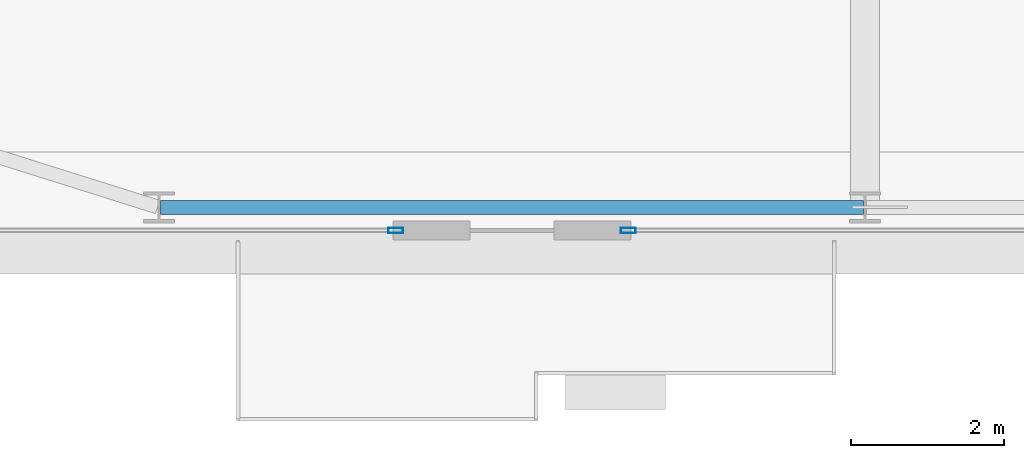
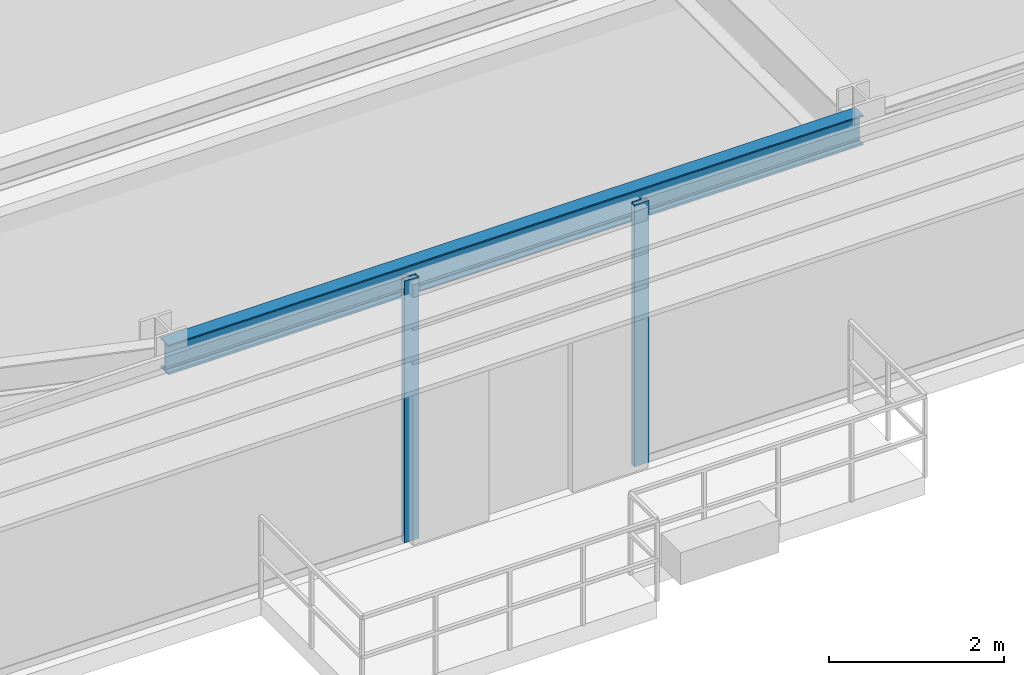
# One storey, part 5 of 31: 2 members, 1 beam, 2 elements without a shape of their own.
"""IFC4 building model written with IfcOpenShell, lengths in metres."""

from ifc_helpers import new_model, si_unit, direction, frame, origin, origin_2d, place, context, subcontext, project, spatial, hollow_rectangle, i_section, extrude, source, transform, mapped, material, layer, layer_set, material_profile, profile_set, type_object, type_shapes, element, aggregate, save


model = new_model("IFC4")

# Units and contexts
model_context = context("Model", 3, precision=1e-05, world=origin(), true_north=direction((0.0, 1.0)))
body_context = subcontext(model_context, "Body", "Model", "MODEL_VIEW")
ifc_project = project(units=[si_unit("LENGTHUNIT", "METRE"), si_unit("AREAUNIT", "SQUARE_METRE"), si_unit("VOLUMEUNIT", "CUBIC_METRE"), si_unit("PLANEANGLEUNIT", "RADIAN"), si_unit("MASSUNIT", "GRAM", prefix="KILO")], contexts=[model_context])

# Site, building, storey
site_placement = place(None, origin())
site = spatial("IfcSite", under=ifc_project, at=site_placement, CompositionType="ELEMENT")
building_placement = place(site_placement, origin())
building = spatial("IfcBuilding", under=site, at=building_placement, Name="Varnel Quay Broadcast Tower", CompositionType="ELEMENT")
storey_placement = place(building_placement, frame((0.0, 0.0, 39.300048828125)))
storey = spatial("IfcBuildingStorey", under=building, at=storey_placement, Name="L08", CompositionType="ELEMENT", Elevation=39.300048828125)

# Beam
ifc_material_1 = material(Name="Structural Steel CSA G40.21 350W", Category="steel")
ifc_material_profile_1 = material_profile(ifc_material_1, i_section(OverallWidth=0.180908203125, OverallDepth=0.4169921875, WebThickness=0.010986328125, FlangeThickness=0.018310546875, FilletRadius=0.011962890625, at=origin_2d()), Name="W410X85")
ifc_profile_set_1 = profile_set([ifc_material_profile_1], Name="Structural Steel CSA G40.21 350W")
beam_type = type_object("IfcBeamType", Name="Beam_W410X85", PredefinedType="SPANDREL", material=ifc_profile_set_1)
shared_shape_1 = source(origin(), body_context, "Body", "SweptSolid", [
    extrude(i_section(OverallWidth=0.180908203125, OverallDepth=0.4169921875, WebThickness=0.010986328125, FlangeThickness=0.018310546875, FilletRadius=0.011962890625, at=origin_2d()), origin(), (0.0, 0.0, 1.0), 9.159912109375),
])
type_shapes(beam_type, [shared_shape_1])
beam_placement = place(storey_placement, frame((15.6201171875, 1.64990234375, 3.44140625), z_axis=(1.0, 0.0, 0.0), x_axis=(0.0, 1.0, 0.0)))
element("IfcBeam", 1, at=beam_placement, inside=storey, type_object=beam_type, Name="L08 South Spandrel TC-S1-TC-S2", PredefinedType="SPANDREL", context=body_context, shape_type="MappedRepresentation", body=[
    mapped(shared_shape_1, transform((0.0, 0.0, 0.0), x_axis=(1.0, 0.0, 0.0), y_axis=(0.0, 1.0, 0.0), z_axis=(0.0, 0.0, 1.0), scale=1.0)),
])

# Curtain wall, member
ifc_material_2 = material(Name="Anodised Bronze Aluminium 6063-T6", Category="aluminium")
ifc_layer = layer(ifc_material_2, 0.18994140625, Name="Anodised Bronze Aluminium 6063-T6")
ifc_layer_set = layer_set([ifc_layer], Name="Anodised Bronze Aluminium 6063-T6")
curtain_wall_type = type_object("IfcCurtainWallType", Name="CW_LowerTower", PredefinedType="NOTDEFINED", material=ifc_layer_set)
curtain_wall_1_placement = place(storey_placement, origin())
curtain_wall_1 = element("IfcCurtainWall", 2, at=curtain_wall_1_placement, inside=storey, type_object=curtain_wall_type, Name="L08 South Unitised Curtain Wall 1", PredefinedType="NOTDEFINED")
ifc_material_profile_2 = material_profile(ifc_material_2, hollow_rectangle(XDim=0.070068359375, YDim=0.18994140625, WallThickness=0.00390625, at=origin_2d()), Name="ALU70X190X4")
ifc_profile_set_2 = profile_set([ifc_material_profile_2], Name="Anodised Bronze Aluminium 6063-T6")
member_type = type_object("IfcMemberType", Name="Mull_CWS-02", PredefinedType="MULLION", material=ifc_profile_set_2)
shared_shape_2 = source(origin(), body_context, "Body", "SweptSolid", [
    extrude(hollow_rectangle(XDim=0.070068359375, YDim=0.18994140625, WallThickness=0.00390625, at=origin_2d()), origin(), (0.0, 0.0, 1.0), 3.64990234375),
])
type_shapes(member_type, [shared_shape_2])
member_1_placement = place(storey_placement, frame((18.68505859375, 1.35009765625, 0.0), z_axis=(0.0, 0.0, 1.0), x_axis=(0.0, 1.0, 0.0)))
member_1 = element("IfcMember", 3, at=member_1_placement, type_object=member_type, Name="CWS-02 mullion 2", PredefinedType="MULLION", context=body_context, shape_type="MappedRepresentation", body=[
    mapped(shared_shape_2, transform((0.0, 0.0, 0.0), x_axis=(1.0, 0.0, 0.0), y_axis=(0.0, 1.0, 0.0), z_axis=(0.0, 0.0, 1.0), scale=1.0)),
])
aggregate(curtain_wall_1, [member_1])

curtain_wall_2_placement = place(storey_placement, origin())
curtain_wall_2 = element("IfcCurtainWall", 4, at=curtain_wall_2_placement, inside=storey, type_object=curtain_wall_type, Name="L08 South Unitised Curtain Wall 2", PredefinedType="NOTDEFINED")
member_2_placement = place(storey_placement, frame((21.715087890625, 1.35009765625, 0.0), z_axis=(0.0, 0.0, 1.0), x_axis=(0.0, 1.0, 0.0)))
member_2 = element("IfcMember", 5, at=member_2_placement, type_object=member_type, Name="CWS-02 mullion 1", PredefinedType="MULLION", context=body_context, shape_type="MappedRepresentation", body=[
    mapped(shared_shape_2, transform((0.0, 0.0, 0.0), x_axis=(1.0, 0.0, 0.0), y_axis=(0.0, 1.0, 0.0), z_axis=(0.0, 0.0, 1.0), scale=1.0)),
])
aggregate(curtain_wall_2, [member_2])

save(model, "model.ifc")
